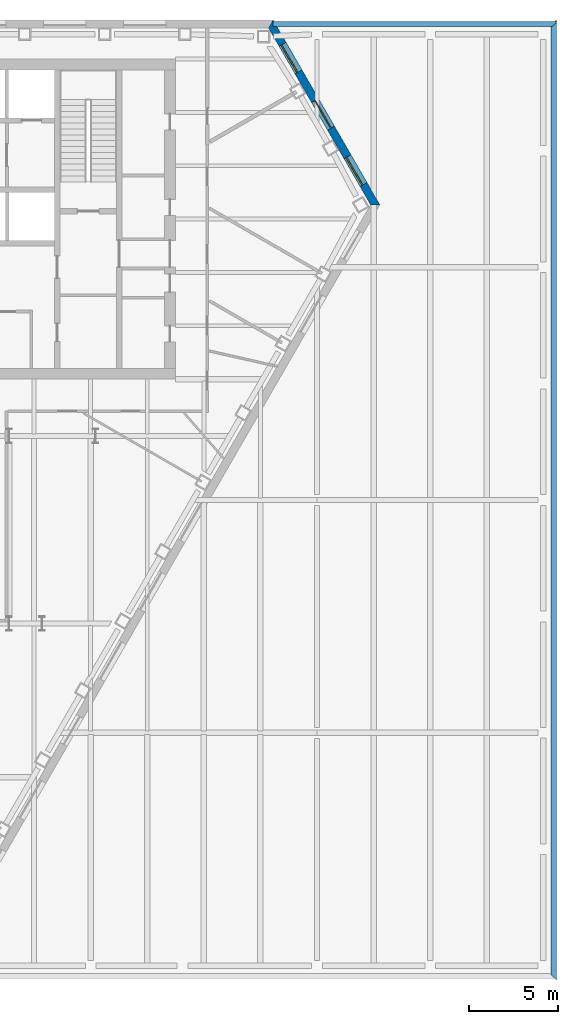
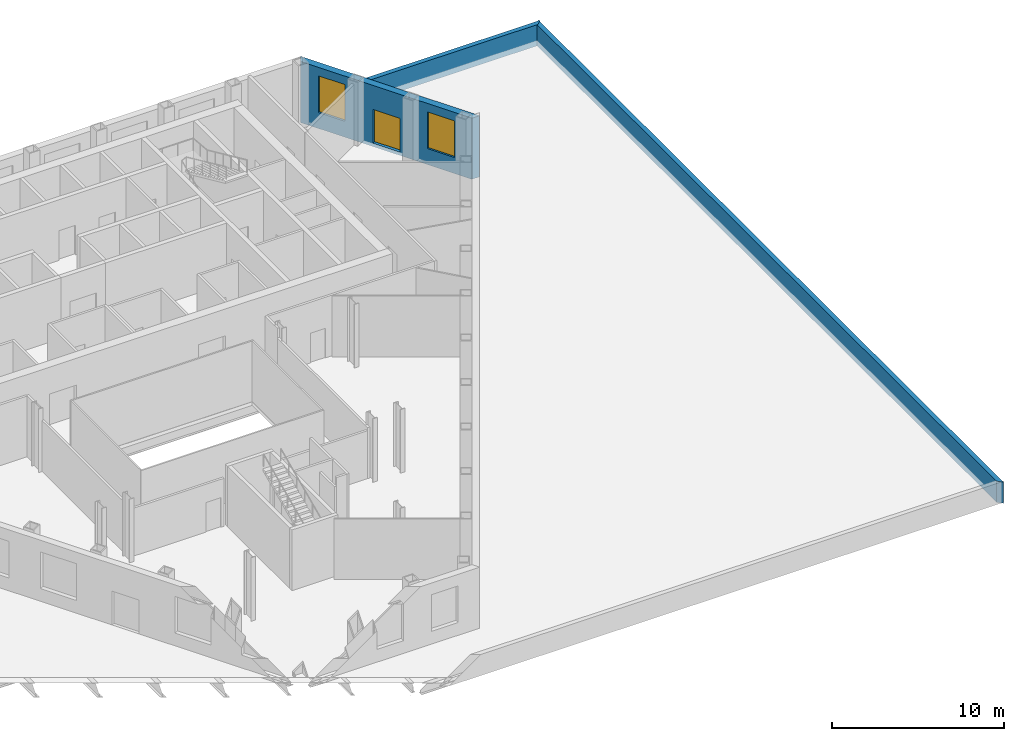
# One storey, part 11 of 14: 3 walls, 2 windows, 1 door, 3 openings.
"""IFC4 building model written with IfcOpenShell, lengths in metres."""

from ifc_helpers import new_model, si_unit, direction, frame, frame_2d, origin, place, context, subcontext, project, spatial, polyline, rectangle, outline, extrude, material, layer, layer_set, type_object, element, fill, save


model = new_model("IFC4")

# Units and contexts
model_context = context("Model", 3, precision=1e-05, world=origin(), true_north=direction((0.0, 1.0)))
body_context = subcontext(model_context, "Body", "Model", "MODEL_VIEW")
ifc_project = project(units=[si_unit("LENGTHUNIT", "METRE"), si_unit("AREAUNIT", "SQUARE_METRE"), si_unit("VOLUMEUNIT", "CUBIC_METRE"), si_unit("PLANEANGLEUNIT", "RADIAN"), si_unit("MASSUNIT", "GRAM", prefix="KILO")], contexts=[model_context])

# Site, building, storey
site_placement = place(None, origin())
site = spatial("IfcSite", under=ifc_project, at=site_placement, CompositionType="ELEMENT")
building_placement = place(site_placement, origin())
building = spatial("IfcBuilding", under=site, at=building_placement, Name="Njiva Tower", CompositionType="ELEMENT")
storey_placement = place(building_placement, frame((0.0, 0.0, 28.8)))
storey = spatial("IfcBuildingStorey", under=building, at=storey_placement, Name="L05", CompositionType="ELEMENT", Elevation=28.8)

# Walls
ifc_material_1 = material(Name="Brick masonry", Category="masonry")
ifc_layer_1 = layer(ifc_material_1, 0.3)
ifc_layer_set_1 = layer_set([ifc_layer_1], Name="Brick masonry")
wall_type_1 = type_object("IfcWallType", Name="WT92 Terrace parapet wall 300", PredefinedType="PARAPET", material=ifc_layer_set_1)
wall_1_placement = place(storey_placement, frame((38.775, -33.65, -0.4), z_axis=(0.0, 0.0, 1.0), x_axis=(0.0, 1.0, 0.0)))
element("IfcWall", 1, at=wall_1_placement, inside=storey, type_object=wall_type_1, Name="Terrace parapet", PredefinedType="PARAPET", context=body_context, shape_type="SweptSolid", body=[
    extrude(outline(polyline([(-0.15, -0.15), (53.85, -0.15), (53.55, 0.15), (0.15, 0.15), (-0.15, -0.15)])), origin(), (0.0, 0.0, 1.0), 1.5),
])
wall_2_placement = place(storey_placement, frame((38.85, 19.975, -0.4), z_axis=(0.0, 0.0, 1.0), x_axis=(-1.0, 0.0, 0.0)))
element("IfcWall", 2, at=wall_2_placement, inside=storey, type_object=wall_type_1, Name="Terrace parapet", PredefinedType="PARAPET", context=body_context, shape_type="SweptSolid", body=[
    extrude(outline(polyline([(-0.15, -0.15), (15.85, -0.15), (15.85, 0.15), (0.15, 0.15), (-0.15, -0.15)])), origin(), (0.0, 0.0, 1.0), 1.5),
])

# Wall, openings, door, windows
ifc_material_2 = material(Name="Brick masonry, buff", Category="masonry")
ifc_layer_2 = layer(ifc_material_2, 0.45)
ifc_layer_set_2 = layer_set([ifc_layer_2], Name="Brick masonry, buff")
wall_type_2 = type_object("IfcWallType", Name="WT94 Brick pier and spandrel wall 450, buff", PredefinedType="SOLIDWALL", material=ifc_layer_set_2)
wall_3_placement = place(storey_placement, frame((28.7402, 9.8077, -0.23), z_axis=(0.0, 0.0, 1.0), x_axis=(-0.500000422144, 0.866025160059, 0.0)))
wall_3 = element("IfcWall", 3, at=wall_3_placement, inside=storey, type_object=wall_type_2, Name="Facade wall NE", PredefinedType="SOLIDWALL", context=body_context, shape_type="SweptSolid", body=[
    extrude(outline(polyline([(-0.1299, -0.225), (11.8701, -0.225), (11.6103, 0.225), (0.1299, 0.225), (-0.1299, -0.225)])), origin(), (0.0, 0.0, 1.0), 4.33),
])
opening_1_placement = place(wall_3_placement, frame((1.3164, 0.0, 1.13)))
opening_1 = element("IfcOpeningElement", 4, at=opening_1_placement, cuts=wall_3, Name="Opening S01-W28", PredefinedType="OPENING", context=body_context, shape_type="SweptSolid", body=[
    extrude(rectangle(XDim=1.8, YDim=2.6, at=frame_2d((0.9, 1.3))), frame((0.0, 0.235, 0.0), z_axis=(0.0, -1.0, 0.0), x_axis=(1.0, 0.0, 0.0)), (0.0, 0.0, 1.0), 0.47),
])
opening_2_placement = place(wall_3_placement, frame((4.9701, 0.0, 0.23)))
opening_2 = element("IfcOpeningElement", 5, at=opening_2_placement, cuts=wall_3, Name="Opening S01-D06", PredefinedType="OPENING", context=body_context, shape_type="SweptSolid", body=[
    extrude(rectangle(XDim=1.8, YDim=2.4, at=frame_2d((0.9, 1.2))), frame((0.0, 0.235, 0.0), z_axis=(0.0, -1.0, 0.0), x_axis=(1.0, 0.0, 0.0)), (0.0, 0.0, 1.0), 0.47),
])
opening_3_placement = place(wall_3_placement, frame((8.6237, 0.0, 1.13)))
opening_3 = element("IfcOpeningElement", 6, at=opening_3_placement, cuts=wall_3, Name="Opening S01-W29", PredefinedType="OPENING", context=body_context, shape_type="SweptSolid", body=[
    extrude(rectangle(XDim=1.8, YDim=2.6, at=frame_2d((0.9, 1.3))), frame((0.0, 0.235, 0.0), z_axis=(0.0, -1.0, 0.0), x_axis=(1.0, 0.0, 0.0)), (0.0, 0.0, 1.0), 0.47),
])
ifc_material_3 = material(Name="Aluminium frame with clear glazing", Category="aluminium")
door_type = type_object("IfcDoorType", Name="D92 Terrace door pair 1800x2400", OperationType="DOUBLE_DOOR_SINGLE_SWING", PredefinedType="DOOR", material=ifc_material_3)
door_placement = place(opening_2_placement, frame((1.8, 0.0, 0.0), z_axis=(0.0, 0.0, 1.0), x_axis=(-1.0, 0.0, 0.0)))
door = element("IfcDoor", 7, at=door_placement, inside=storey, type_object=door_type, Name="Terrace door", OperationType="DOUBLE_DOOR_SINGLE_SWING", OverallHeight=2.4, OverallWidth=1.8, PredefinedType="DOOR", context=body_context, shape_type="SweptSolid", body=[
    extrude(rectangle(XDim=1.8, YDim=2.4, at=frame_2d((0.9, 1.2))), frame((0.0, 0.025, 0.0), z_axis=(0.0, -1.0, 0.0), x_axis=(1.0, 0.0, 0.0)), (0.0, 0.0, 1.0), 0.05),
])
fill(opening_2, door)
ifc_material_4 = material(Name="Clear glazing in aluminium frame", Category="aluminium")
window_type = type_object("IfcWindowType", Name="W96 Deep-set window 1800x2600", PartitioningType="SINGLE_PANEL", PredefinedType="WINDOW", material=ifc_material_4)
window_1_placement = place(opening_1_placement, origin())
window_1 = element("IfcWindow", 8, at=window_1_placement, inside=storey, type_object=window_type, Name="Window", OverallHeight=2.6, OverallWidth=1.8, PartitioningType="SINGLE_PANEL", PredefinedType="WINDOW", context=body_context, shape_type="SweptSolid", body=[
    extrude(rectangle(XDim=1.8, YDim=2.6, at=frame_2d((0.9, 1.3))), frame((0.0, 0.105, 0.0), z_axis=(0.0, -1.0, 0.0), x_axis=(1.0, 0.0, 0.0)), (0.0, 0.0, 1.0), 0.06),
])
fill(opening_1, window_1)
window_2_placement = place(opening_3_placement, origin())
window_2 = element("IfcWindow", 9, at=window_2_placement, inside=storey, type_object=window_type, Name="Window", OverallHeight=2.6, OverallWidth=1.8, PartitioningType="SINGLE_PANEL", PredefinedType="WINDOW", context=body_context, shape_type="SweptSolid", body=[
    extrude(rectangle(XDim=1.8, YDim=2.6, at=frame_2d((0.9, 1.3))), frame((0.0, 0.105, 0.0), z_axis=(0.0, -1.0, 0.0), x_axis=(1.0, 0.0, 0.0)), (0.0, 0.0, 1.0), 0.06),
])
fill(opening_3, window_2)

save(model, "model.ifc")
